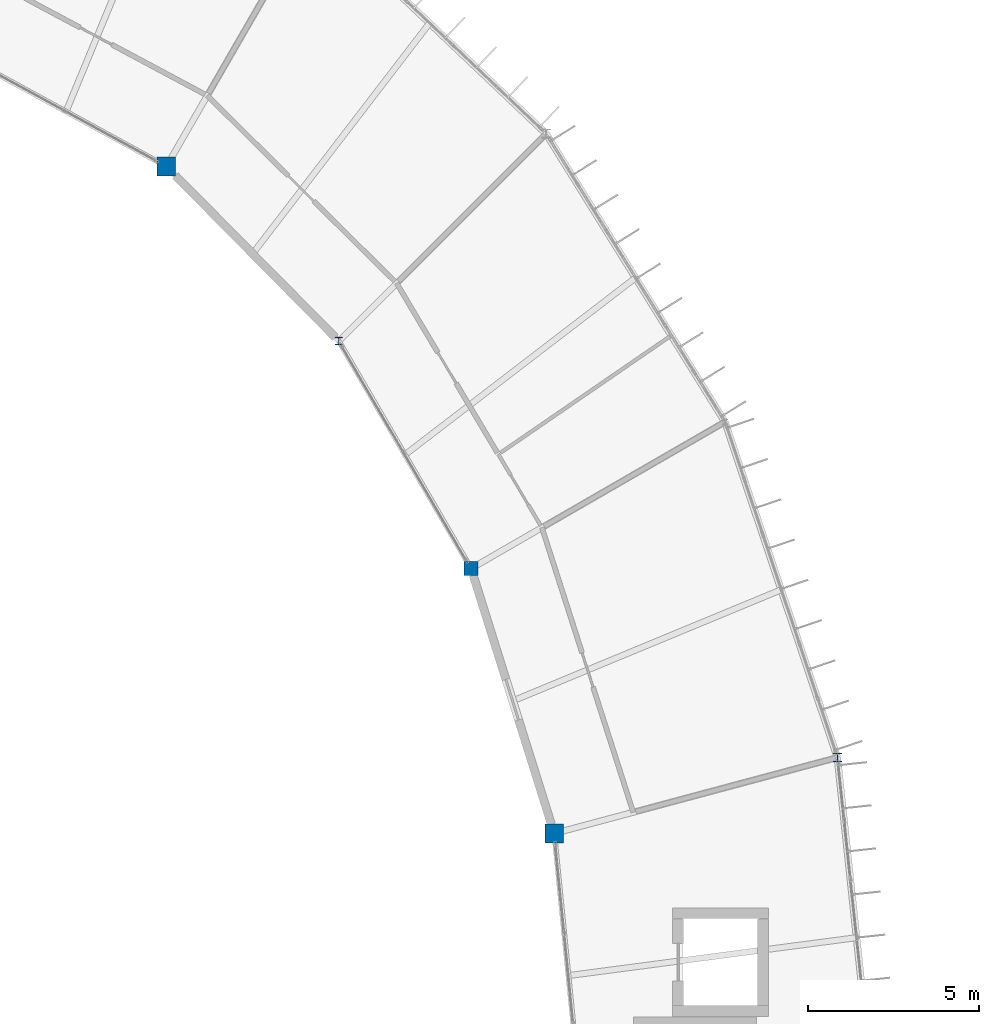
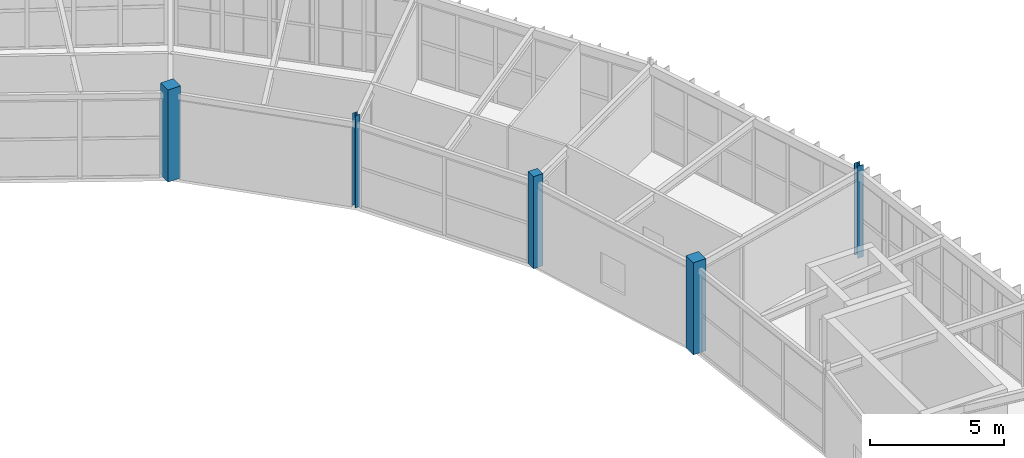
# One storey, part 4 of 66: 5 columns.
"""IFC4 building model written with IfcOpenShell, lengths in metres."""

import ifcopenshell
import ifcopenshell.guid

model = None  # the IFC model being written
_history = None  # IfcOwnerHistory: only IFC2X3 demands one
_inside = {}  # id of a spatial element -> (the spatial element, [elements in it])
_under = {}  # id of a project, library or spatial element -> (it, [spatial elements below it])
_declared = {}  # id of a project -> (the project, [libraries it declares])
_typed = {}  # id of a type object -> (the type object, [elements of that type])
_made_of = {}  # id of a material, layer set ... -> (it, [elements and type objects made of it])


def new_model(schema):
    """Start an empty IFC model of exactly this schema.

    Asked for "IFC4X3", IfcOpenShell would pick the latest addendum, in which some entities
    have other attributes; the version numbers below select the first issue.
    IFC2X3 requires an IfcOwnerHistory on every rooted entity: one is made here for all.
    """
    global model, _history
    if schema == "IFC4X3":
        model = ifcopenshell.file(schema_version=(4, 3, 0, 0))
    else:
        model = ifcopenshell.file(schema=schema)
    _inside.clear()
    _under.clear()
    _declared.clear()
    _typed.clear()
    _made_of.clear()
    _history = None
    if model.schema == "IFC2X3":
        org = make("IfcOrganization", Name="unknown")
        user = make(
            "IfcPersonAndOrganization",
            ThePerson=make("IfcPerson", FamilyName="unknown"),
            TheOrganization=org,
        )
        app = make(
            "IfcApplication",
            ApplicationDeveloper=org,
            Version="unknown",
            ApplicationFullName="unknown",
            ApplicationIdentifier="unknown",
        )
        _history = make(
            "IfcOwnerHistory",
            OwningUser=user,
            OwningApplication=app,
            ChangeAction="ADDED",
            CreationDate=0,
        )
    return model


def make(cls, **values):
    """One entity of the class cls with the attributes given. An attribute that is None is left unset."""
    return model.create_entity(
        cls, **{name: value for name, value in values.items() if value is not None}
    )


def rooted(cls, **values):
    """An entity with a GlobalId (a new one), such as an element, a storey or a relation."""
    return make(cls, GlobalId=ifcopenshell.guid.new(), OwnerHistory=_history, **values)


def si_unit(unit_type, name, prefix=None):
    """IfcSIUnit, for example si_unit("LENGTHUNIT", "METRE", prefix="MILLI")."""
    return make("IfcSIUnit", UnitType=unit_type, Prefix=prefix, Name=name)


def assignment(units):
    """IfcUnitAssignment: the units of a project."""
    return None if units is None else make("IfcUnitAssignment", Units=units)


def point(xyz):
    """IfcCartesianPoint."""
    return None if xyz is None else make("IfcCartesianPoint", Coordinates=xyz)


def direction(xyz):
    """IfcDirection."""
    return None if xyz is None else make("IfcDirection", DirectionRatios=xyz)


def frame(location, z_axis=None, x_axis=None):
    """IfcAxis2Placement3D, a coordinate frame: its origin and axes. An axis left out is left unset."""
    return make(
        "IfcAxis2Placement3D",
        Location=point(location),
        Axis=direction(z_axis),
        RefDirection=direction(x_axis),
    )


def frame_2d(location, x_axis=None):
    """IfcAxis2Placement2D, a coordinate frame in the plane: its origin and x axis."""
    return make(
        "IfcAxis2Placement2D", Location=point(location), RefDirection=direction(x_axis)
    )


def origin():
    """The frame at (0, 0, 0) with its axes left unset."""
    return frame((0.0, 0.0, 0.0))


def origin_2d():
    """The frame at (0, 0) in the plane with its x axis left unset."""
    return frame_2d((0.0, 0.0))


def place(relative_to, where):
    """IfcLocalPlacement: puts the frame where relative to a parent placement (None: the world)."""
    return make(
        "IfcLocalPlacement", PlacementRelTo=relative_to, RelativePlacement=where
    )


def context(
    kind, dimensions, precision=None, world=None, true_north=None, identifier=None
):
    """IfcGeometricRepresentationContext, for example the 3D "Model" context."""
    return make(
        "IfcGeometricRepresentationContext",
        ContextIdentifier=identifier,
        ContextType=kind,
        CoordinateSpaceDimension=dimensions,
        Precision=precision,
        WorldCoordinateSystem=world,
        TrueNorth=true_north,
    )


def subcontext(parent, identifier, kind, view, scale=None):
    """IfcGeometricRepresentationSubContext, for example "Body" below "Model"."""
    return make(
        "IfcGeometricRepresentationSubContext",
        ContextIdentifier=identifier,
        ContextType=kind,
        ParentContext=parent,
        TargetScale=scale,
        TargetView=view,
    )


def project(units=None, contexts=None):
    """IfcProject with its units and contexts."""
    return rooted(
        "IfcProject",
        Name="project",
        RepresentationContexts=contexts,
        UnitsInContext=assignment(units),
    )


def spatial(cls, under=None, at=None, **own):
    """A site, building, storey or space (cls), placed at a placement, below another one or the project."""
    s = rooted(cls, ObjectPlacement=at, **own)
    if under is not None:
        _under.setdefault(under.id(), (under, []))[1].append(s)
    return s


def profile(cls, at=None, kind="AREA", **sizes):
    """A parametric profile (cls). Its sizes go by their IFC names, for example OverallWidth=200.0."""
    return make(cls, ProfileType=kind, Position=at, **sizes)


def rectangle(**sizes):
    """IfcRectangleProfileDef."""
    return profile("IfcRectangleProfileDef", **sizes)


def i_section(**sizes):
    """IfcIShapeProfileDef."""
    return profile("IfcIShapeProfileDef", **sizes)


def extrude(swept, where, along, depth):
    """IfcExtrudedAreaSolid: the profile swept, set in the frame where, extruded along a direction by depth."""
    return make(
        "IfcExtrudedAreaSolid",
        SweptArea=swept,
        Position=where,
        ExtrudedDirection=direction(along),
        Depth=depth,
    )


def shape(context_of_items, identifier, shape_type, items):
    """IfcShapeRepresentation: the items that make up one representation, for example the "Body"."""
    return make(
        "IfcShapeRepresentation",
        ContextOfItems=context_of_items,
        RepresentationIdentifier=identifier,
        RepresentationType=shape_type,
        Items=items,
    )


def material(Name=None, Category=None):
    """IfcMaterial."""
    return make("IfcMaterial", Name=Name, Category=Category)


def material_profile(
    of_material, cross_section, Name=None, Category=None, Priority=None
):
    """IfcMaterialProfile: a cross section and its material."""
    return make(
        "IfcMaterialProfile",
        Name=Name,
        Material=of_material,
        Profile=cross_section,
        Priority=Priority,
        Category=Category,
    )


def profile_set(profiles, Name=None, composite=None):
    """IfcMaterialProfileSet."""
    return make(
        "IfcMaterialProfileSet",
        Name=Name,
        MaterialProfiles=profiles,
        CompositeProfile=composite,
    )


def made_of(thing, what):
    """Note that an element or type object is made of a material, layer set ...; save() writes the relation."""
    if what is not None:
        _made_of.setdefault(what.id(), (what, []))[1].append(thing)
    return thing


def type_object(cls, material=None, **own):
    """A type object (cls), such as IfcWallType, which elements share."""
    return made_of(rooted(cls, **own), material)


def element(
    cls,
    number,
    at=None,
    inside=None,
    cuts=None,
    type_object=None,
    material=None,
    context=None,
    identifier="Body",
    shape_type=None,
    held_by="IfcProductDefinitionShape",
    body=None,
    shapes=None,
    **own,
):
    """One element of the class cls, such as IfcWall. Its Tag is "e" and its number.

    at: its placement. inside: the storey or other place that contains it. cuts: it is an
    opening in that element (IfcRelVoidsElement). A single representation is given by context,
    identifier, shape_type and body (its items); several are given by shapes. held_by: the class
    of the entity that holds the representations. save() writes the other relations.
    """
    e = rooted(cls, Tag="e%d" % number, ObjectPlacement=at, **own)
    if body is not None:
        shapes = [shape(context, identifier, shape_type, body)]
    if shapes is not None:
        e.Representation = make(held_by, Representations=shapes)
    if inside is not None:
        _inside.setdefault(inside.id(), (inside, []))[1].append(e)
    if cuts is not None:
        rooted(
            "IfcRelVoidsElement", RelatingBuildingElement=cuts, RelatedOpeningElement=e
        )
    if type_object is not None:
        _typed.setdefault(type_object.id(), (type_object, []))[1].append(e)
    return made_of(e, material)


def aggregate(whole, parts):
    """IfcRelAggregates: a whole, such as a stair, and the parts it consists of."""
    return rooted("IfcRelAggregates", RelatingObject=whole, RelatedObjects=parts)


def save(model, path):
    """Write the relations noted so far, then the file.

    IfcRelAggregates (storeys below a building ...), IfcRelContainedInSpatialStructure (elements
    in a storey), IfcRelDefinesByType, IfcRelAssociatesMaterial and IfcRelDeclares: one each for
    every whole, place, type object, material and project.
    """
    for whole, parts in _under.values():
        aggregate(whole, parts)
    for where, things in _inside.values():
        rooted(
            "IfcRelContainedInSpatialStructure",
            RelatedElements=things,
            RelatingStructure=where,
        )
    for kind, things in _typed.values():
        rooted("IfcRelDefinesByType", RelatedObjects=things, RelatingType=kind)
    for what, things in _made_of.values():
        rooted("IfcRelAssociatesMaterial", RelatedObjects=things, RelatingMaterial=what)
    for by, libraries in _declared.values():
        rooted("IfcRelDeclares", RelatingContext=by, RelatedDefinitions=libraries)
    model.write(path)


model = new_model("IFC4")

# Units and contexts
model_context = context("Model", 3, precision=1e-05, world=origin(), true_north=direction((0.0, 1.0)))
body_context = subcontext(model_context, "Body", "Model", "MODEL_VIEW")
ifc_project = project(units=[si_unit("LENGTHUNIT", "METRE"), si_unit("AREAUNIT", "SQUARE_METRE"), si_unit("VOLUMEUNIT", "CUBIC_METRE"), si_unit("PLANEANGLEUNIT", "RADIAN"), si_unit("MASSUNIT", "GRAM", prefix="KILO")], contexts=[model_context])

# Site, building, storey
site_placement = place(None, origin())
site = spatial("IfcSite", under=ifc_project, at=site_placement, CompositionType="ELEMENT")
building_placement = place(site_placement, origin())
building = spatial("IfcBuilding", under=site, at=building_placement, Name="Karori Crest Natural Sciences Institute", CompositionType="ELEMENT")
storey_placement = place(building_placement, frame((0.0, 0.0, 30.10009765625)))
storey = spatial("IfcBuildingStorey", under=building, at=storey_placement, Name="L07", CompositionType="ELEMENT", Elevation=30.10009765625)

# Columns
ifc_material_1 = material(Name="Structural steel AS/NZS 3679.1 Grade 350", Category="steel")
ifc_material_profile_1 = material_profile(ifc_material_1, i_section(OverallWidth=0.25390625, OverallDepth=0.25390625, WebThickness=0.008544921875, FlangeThickness=0.01416015625, FilletRadius=0.013916015625, at=origin_2d()), Name="250UC72.9")
ifc_profile_set_1 = profile_set([ifc_material_profile_1], Name="Structural steel AS/NZS 3679.1 Grade 350")
column_type_1 = type_object("IfcColumnType", Name="CT-07", PredefinedType="COLUMN", material=ifc_profile_set_1)
column_1_placement = place(storey_placement, frame((98.275634765625, 60.459716796875, 0.0), z_axis=(0.0, 0.0, 1.0), x_axis=(1.0, 0.0, 0.0)))
element("IfcColumn", 1, at=column_1_placement, inside=storey, type_object=column_type_1, Name="Column C-0035", PredefinedType="COLUMN", context=body_context, shape_type="SweptSolid", body=[
    extrude(i_section(OverallWidth=0.25390625, OverallDepth=0.25390625, WebThickness=0.008544921875, FlangeThickness=0.01416015625, FilletRadius=0.013916015625, at=origin_2d()), origin(), (0.0, 0.0, 1.0), 4.199951171875),
])
ifc_material_profile_2 = material_profile(ifc_material_1, i_section(OverallWidth=0.205078125, OverallDepth=0.2099609375, WebThickness=0.00927734375, FlangeThickness=0.01416015625, FilletRadius=0.010986328125, at=origin_2d()), Name="200UC59.5")
ifc_profile_set_2 = profile_set([ifc_material_profile_2], Name="Structural steel AS/NZS 3679.1 Grade 350")
column_type_2 = type_object("IfcColumnType", Name="CT-08", PredefinedType="COLUMN", material=ifc_profile_set_2)
column_2_placement = place(storey_placement, frame((83.6533203125, 72.668701171875, 0.0), z_axis=(0.0, 0.0, 1.0), x_axis=(1.0, 0.0, 0.0)))
element("IfcColumn", 2, at=column_2_placement, inside=storey, type_object=column_type_2, Name="Column C-0072", PredefinedType="COLUMN", context=body_context, shape_type="SweptSolid", body=[
    extrude(i_section(OverallWidth=0.205078125, OverallDepth=0.2099609375, WebThickness=0.00927734375, FlangeThickness=0.01416015625, FilletRadius=0.010986328125, at=origin_2d()), origin(), (0.0, 0.0, 1.0), 4.199951171875),
])
ifc_material_2 = material(Name="Concrete 50 MPa", Category="concrete")
ifc_material_profile_3 = material_profile(ifc_material_2, rectangle(XDim=0.550048828125, YDim=0.550048828125, at=origin_2d()), Name="RC550x550")
ifc_profile_set_3 = profile_set([ifc_material_profile_3], Name="Concrete 50 MPa")
column_type_3 = type_object("IfcColumnType", Name="CT-30", PredefinedType="COLUMN", material=ifc_profile_set_3)
for number, where, z_axis, x_axis, name in (
    (3, (89.968505859375, 58.23388671875, 0.0), (0.0, 0.0, 1.0), (1.0, 0.0, 0.0), "Column C-0036"),
    (4, (78.60009765625, 77.785888671875, 0.0), (0.0, 0.0, 1.0), (1.0, 0.0, 0.0), "Column C-0090"),
):
    element("IfcColumn", number, at=place(storey_placement, frame(where, z_axis=z_axis, x_axis=x_axis)), inside=storey, type_object=column_type_3, Name=name, PredefinedType="COLUMN", context=body_context, shape_type="SweptSolid", body=[
        extrude(rectangle(XDim=0.550048828125, YDim=0.550048828125, at=origin_2d()), origin(), (0.0, 0.0, 1.0), 4.199951171875),
    ])
ifc_material_profile_4 = material_profile(ifc_material_2, rectangle(XDim=0.39990234375, YDim=0.39990234375, at=origin_2d()), Name="RC400x400")
ifc_profile_set_4 = profile_set([ifc_material_profile_4], Name="Concrete 50 MPa")
column_type_4 = type_object("IfcColumnType", Name="CT-31", PredefinedType="PILASTER", material=ifc_profile_set_4)
column_3_placement = place(storey_placement, frame((87.531005859375, 66.0, 0.0), z_axis=(0.0, 0.0, 1.0), x_axis=(1.0, 0.0, 0.0)))
element("IfcColumn", 5, at=column_3_placement, inside=storey, type_object=column_type_4, Name="Column C-0054", PredefinedType="PILASTER", context=body_context, shape_type="SweptSolid", body=[
    extrude(rectangle(XDim=0.39990234375, YDim=0.39990234375, at=origin_2d()), origin(), (0.0, 0.0, 1.0), 4.199951171875),
])

save(model, "model.ifc")
